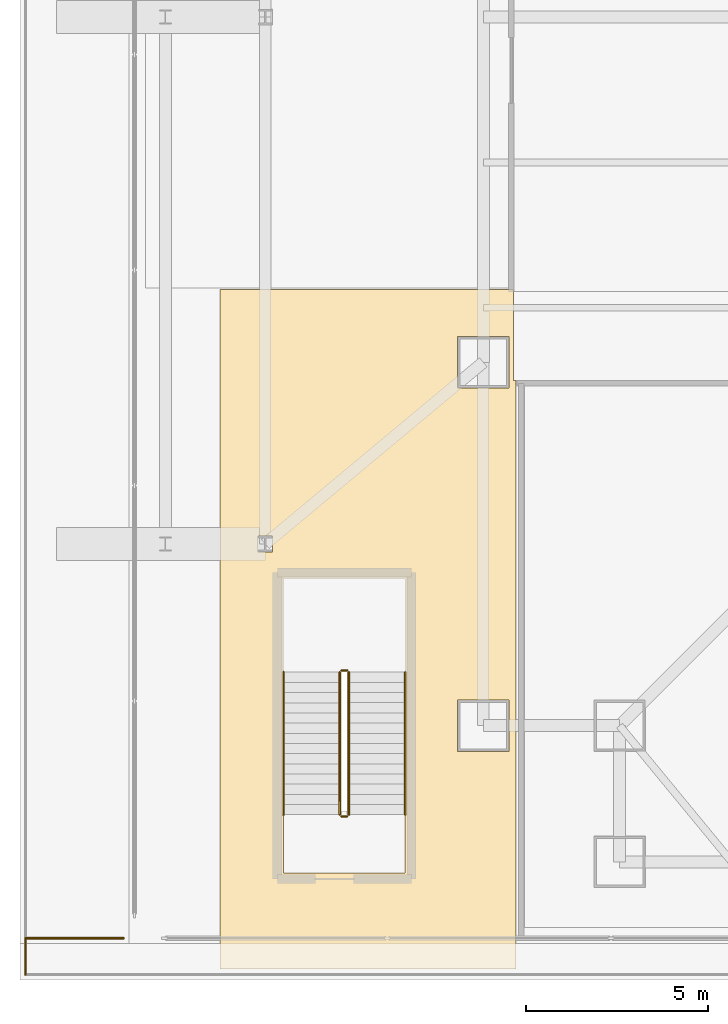
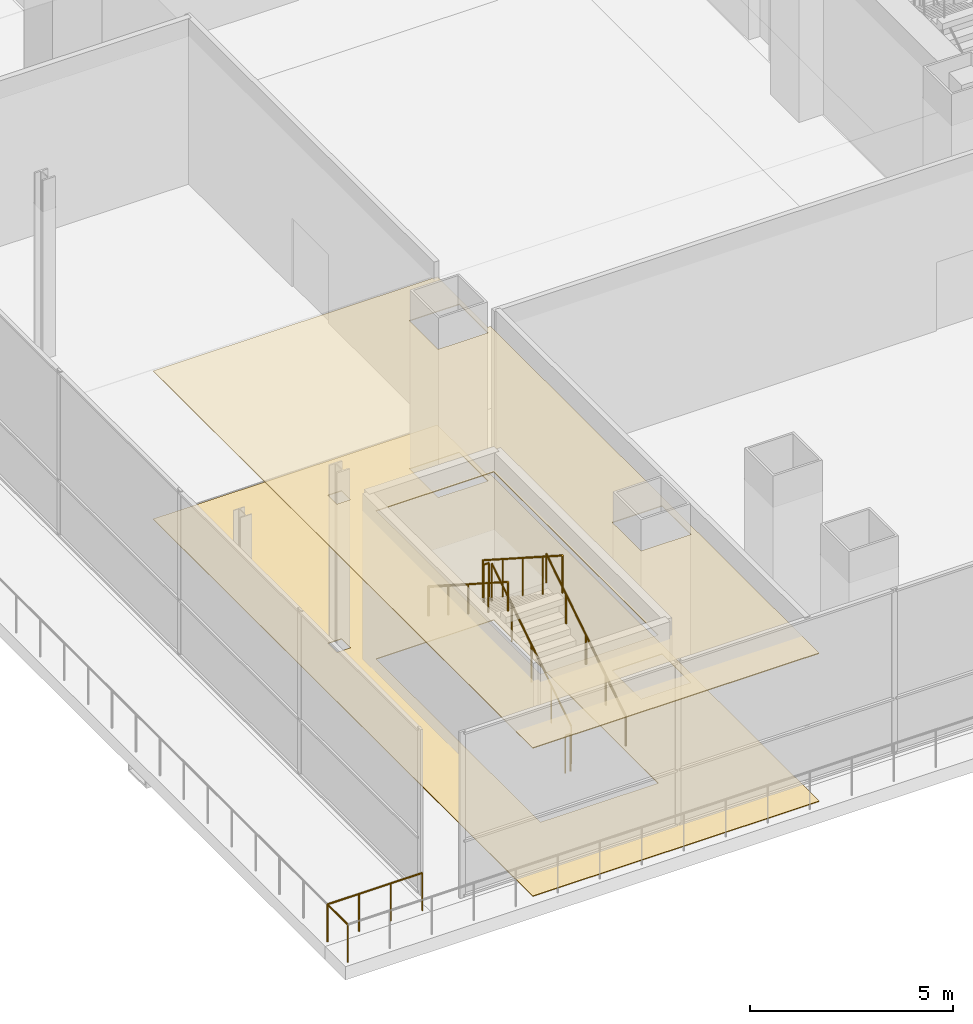
# One storey, part 25 of 36: 8 railings, 2 coverings.
"""IFC4 building model written with IfcOpenShell, lengths in metres."""

from ifc_helpers import new_model, si_unit, direction, frame, origin, origin_2d, place, context, subcontext, project, spatial, polyline, circle, outline, extrude, material, layer, layer_set, type_object, element, save


model = new_model("IFC4")

# Units and contexts
model_context = context("Model", 3, precision=1e-05, world=origin(), true_north=direction((0.0, 1.0)))
body_context = subcontext(model_context, "Body", "Model", "MODEL_VIEW")
ifc_project = project(units=[si_unit("LENGTHUNIT", "METRE"), si_unit("AREAUNIT", "SQUARE_METRE"), si_unit("VOLUMEUNIT", "CUBIC_METRE"), si_unit("PLANEANGLEUNIT", "RADIAN"), si_unit("MASSUNIT", "GRAM", prefix="KILO")], contexts=[model_context])

# Site, building, storey
site_placement = place(None, origin())
site = spatial("IfcSite", under=ifc_project, at=site_placement, CompositionType="ELEMENT")
building_placement = place(site_placement, origin())
building = spatial("IfcBuilding", under=site, at=building_placement, Name="Trevonay Congress Spire", CompositionType="ELEMENT")
storey_placement = place(building_placement, frame((0.0, 0.0, 16.199951171875)))
storey = spatial("IfcBuildingStorey", under=building, at=storey_placement, Name="L03", CompositionType="ELEMENT", Elevation=16.199951171875)

# Coverings
ifc_material_1 = material(Name="Acoustic Mineral Fibre Board", Category="gypsum")
ifc_layer_1 = layer(ifc_material_1, 0.02490234375, Name="Acoustic Mineral Fibre Board")
ifc_layer_set_1 = layer_set([ifc_layer_1], Name="Acoustic Mineral Fibre Board")
covering_type_1 = type_object("IfcCoveringType", Name="COV-CEIL-ACOUSTIC", PredefinedType="CEILING", material=ifc_layer_set_1)
covering_1_placement = place(storey_placement, frame((0.0, 0.0, 4.449951171875)))
element("IfcCovering", 1, at=covering_1_placement, inside=storey, type_object=covering_type_1, Name="L03 L03 Stair Lobby SW acoustic suspended ceiling", PredefinedType="CEILING", context=body_context, shape_type="SweptSolid", body=[
    extrude(outline(polyline([(-30.5, -26.199951171875), (-30.5, -7.5), (-22.419921875, -7.5), (-22.419921875, -7.550048828125), (-22.419921875, -10.0), (-22.35009765625, -10.0), (-22.35009765625, -26.199951171875), (-30.5, -26.199951171875)]), holes=[polyline([(-22.5400390625, -20.2099609375), (-22.5400390625, -18.7900390625), (-23.9599609375, -18.7900390625), (-23.9599609375, -20.2099609375), (-22.5400390625, -20.2099609375)]), polyline([(-29.444091796875, -14.722412109375), (-29.055908203125, -14.722412109375), (-29.055908203125, -14.277587890625), (-29.444091796875, -14.277587890625), (-29.444091796875, -14.722412109375)]), polyline([(-23.9599609375, -10.2099609375), (-22.5400390625, -10.2099609375), (-22.5400390625, -8.7900390625), (-23.9599609375, -8.7900390625), (-23.9599609375, -10.2099609375)]), polyline([(-28.75, -15.449951171875), (-28.75, -23.550048828125), (-25.39990234375, -23.550048828125), (-25.39990234375, -15.449951171875), (-28.75, -15.449951171875)])]), origin(), (0.0, 0.0, 1.0), 0.025146484375),
])
ifc_material_2 = material(Name="Polished Granite Floor Tile", Category="masonry")
ifc_layer_2 = layer(ifc_material_2, 0.02001953125, Name="Polished Granite Floor Tile")
ifc_layer_set_2 = layer_set([ifc_layer_2], Name="Polished Granite Floor Tile")
covering_type_2 = type_object("IfcCoveringType", Name="COV-FLOOR-STONE", PredefinedType="FLOORING", material=ifc_layer_set_2)
covering_2_placement = place(storey_placement, origin())
element("IfcCovering", 2, at=covering_2_placement, inside=storey, type_object=covering_type_2, Name="L03 L03 Stair Lobby SW floor finish", PredefinedType="FLOORING", context=body_context, shape_type="SweptSolid", body=[
    extrude(outline(polyline([(-30.5, -26.199951171875), (-30.5, -7.5), (-22.419921875, -7.5), (-22.419921875, -7.550048828125), (-22.419921875, -10.0), (-22.35009765625, -10.0), (-22.35009765625, -26.199951171875), (-30.5, -26.199951171875)]), holes=[polyline([(-22.5400390625, -20.2099609375), (-22.5400390625, -18.7900390625), (-23.9599609375, -18.7900390625), (-23.9599609375, -20.2099609375), (-22.5400390625, -20.2099609375)]), polyline([(-29.444091796875, -14.722412109375), (-29.055908203125, -14.722412109375), (-29.055908203125, -14.277587890625), (-29.444091796875, -14.277587890625), (-29.444091796875, -14.722412109375)]), polyline([(-23.9599609375, -10.2099609375), (-22.5400390625, -10.2099609375), (-22.5400390625, -8.7900390625), (-23.9599609375, -8.7900390625), (-23.9599609375, -10.2099609375)]), polyline([(-28.75, -15.449951171875), (-28.75, -23.550048828125), (-25.39990234375, -23.550048828125), (-25.39990234375, -15.449951171875), (-28.75, -15.449951171875)])]), origin(), (0.0, 0.0, 1.0), 0.02001953125),
])

# Railings
ifc_material_3 = material(Name="Pale Anodised Aluminium EN AW-6063-T6", Category="aluminium")
railing_type_1 = type_object("IfcRailingType", Name="RAL-EXT-GUARD-115", PredefinedType="GUARDRAIL", material=ifc_material_3)
railing_1_placement = place(storey_placement, frame((-35.85009765625, -25.35009765625, 0.0)))
element("IfcRailing", 3, at=railing_1_placement, inside=storey, type_object=railing_type_1, Name="L03 perimeter safety guard GRD-L03-TER-W-1", PredefinedType="GUARDRAIL", context=body_context, shape_type="SweptSolid", body=[
    extrude(circle(Radius=0.02392578125, at=origin_2d()), frame((0.0, 0.0, 1.1259765625), z_axis=(1.0, 0.0, 0.0), x_axis=(0.0, 1.0, 0.0)), (0.0, 0.0, 1.0), 2.7001953125),
    extrude(circle(Radius=0.02099609375, at=origin_2d()), origin(), (0.0, 0.0, 1.0), 1.101806640625),
    extrude(circle(Radius=0.02099609375, at=origin_2d()), frame((0.900146484375, 0.0, 0.0)), (0.0, 0.0, 1.0), 1.101806640625),
    extrude(circle(Radius=0.02099609375, at=origin_2d()), frame((1.800048828125, 0.0, 0.0)), (0.0, 0.0, 1.0), 1.101806640625),
    extrude(circle(Radius=0.02099609375, at=origin_2d()), frame((2.7001953125, 0.0, 0.0)), (0.0, 0.0, 1.0), 1.101806640625),
])
railing_2_placement = place(storey_placement, frame((-35.85009765625, -25.35009765625, 0.0)))
element("IfcRailing", 4, at=railing_2_placement, inside=storey, type_object=railing_type_1, Name="L03 perimeter safety guard GRD-L03-TER-S-1", PredefinedType="GUARDRAIL", context=body_context, shape_type="SweptSolid", body=[
    extrude(circle(Radius=0.02392578125, at=origin_2d()), frame((0.0, 0.0, 1.1259765625), z_axis=(0.0, -1.0, 0.0), x_axis=(1.0, 0.0, 0.0)), (0.0, 0.0, 1.0), 1.0),
    extrude(circle(Radius=0.02099609375, at=origin_2d()), origin(), (0.0, 0.0, 1.0), 1.101806640625),
    extrude(circle(Radius=0.02099609375, at=origin_2d()), frame((0.0, -1.0, 0.0)), (0.0, 0.0, 1.0), 1.101806640625),
])
railing_type_2 = type_object("IfcRailingType", Name="RAL-STAIR-GUARD-110", PredefinedType="GUARDRAIL", material=ifc_material_3)
railing_3_placement = place(storey_placement, frame((-26.949951171875, -21.949951171875, 0.179931640625)))
element("IfcRailing", 5, at=railing_3_placement, inside=storey, type_object=railing_type_2, Name="L03 ST-3 stair guard 1", PredefinedType="GUARDRAIL", context=body_context, shape_type="SweptSolid", body=[
    extrude(circle(Radius=0.02392578125, at=origin_2d()), frame((0.0, 0.0, 1.1259765625), z_axis=(0.0, 0.841171666519, 0.540768182723), x_axis=(-1.0, 0.0, 0.0)), (0.0, 0.0, 1.0), 4.66015625),
    extrude(circle(Radius=0.02099609375, at=origin_2d()), origin(), (0.0, 0.0, 1.0), 1.101806640625),
    extrude(circle(Radius=0.02099609375, at=origin_2d()), frame((0.0, 0.97998046875, 0.6298828125)), (0.0, 0.0, 1.0), 1.101806640625),
    extrude(circle(Radius=0.02099609375, at=origin_2d()), frame((0.0, 1.9599609375, 1.260009765625)), (0.0, 0.0, 1.0), 1.101806640625),
    extrude(circle(Radius=0.02099609375, at=origin_2d()), frame((0.0, 2.93994140625, 1.89013671875)), (0.0, 0.0, 1.0), 1.101806640625),
    extrude(circle(Radius=0.02099609375, at=origin_2d()), frame((0.0, 3.919921875, 2.52001953125)), (0.0, 0.0, 1.0), 1.101806640625),
])
railing_4_placement = place(storey_placement, frame((-27.0, -17.97998046875, 2.699951171875)))
element("IfcRailing", 6, at=railing_4_placement, inside=storey, type_object=railing_type_2, Name="L03 ST-3 stair guard 2", PredefinedType="GUARDRAIL", context=body_context, shape_type="SweptSolid", body=[
    extrude(circle(Radius=0.02392578125, at=origin_2d()), frame((0.0, 0.0, 1.1259765625), z_axis=(-1.0, 0.0, 0.0), x_axis=(0.0, -1.0, 0.0)), (0.0, 0.0, 1.0), 0.14990234375),
    extrude(circle(Radius=0.02099609375, at=origin_2d()), origin(), (0.0, 0.0, 1.0), 1.101806640625),
    extrude(circle(Radius=0.02099609375, at=origin_2d()), frame((-0.14990234375, 0.0, 0.0)), (0.0, 0.0, 1.0), 1.101806640625),
])
railing_5_placement = place(storey_placement, frame((-27.199951171875, -18.030029296875, 2.880126953125)))
element("IfcRailing", 7, at=railing_5_placement, inside=storey, type_object=railing_type_2, Name="L03 ST-3 stair guard 3", PredefinedType="GUARDRAIL", context=body_context, shape_type="SweptSolid", body=[
    extrude(circle(Radius=0.02392578125, at=origin_2d()), frame((0.0, 0.0, 1.1259765625), z_axis=(0.0, -0.841171666519, 0.540768182723), x_axis=(1.0, 0.0, 0.0)), (0.0, 0.0, 1.0), 4.66015625),
    extrude(circle(Radius=0.02099609375, at=origin_2d()), origin(), (0.0, 0.0, 1.0), 1.101806640625),
    extrude(circle(Radius=0.02099609375, at=origin_2d()), frame((0.0, -0.97998046875, 0.6298828125)), (0.0, 0.0, 1.0), 1.101806640625),
    extrude(circle(Radius=0.02099609375, at=origin_2d()), frame((0.0, -1.9599609375, 1.260009765625)), (0.0, 0.0, 1.0), 1.101806640625),
    extrude(circle(Radius=0.02099609375, at=origin_2d()), frame((0.0, -2.93994140625, 1.89013671875)), (0.0, 0.0, 1.0), 1.101806640625),
    extrude(circle(Radius=0.02099609375, at=origin_2d()), frame((0.0, -3.919921875, 2.52001953125)), (0.0, 0.0, 1.0), 1.101806640625),
])
railing_6_placement = place(storey_placement, frame((-27.0, -22.0, 0.0)))
element("IfcRailing", 8, at=railing_6_placement, inside=storey, type_object=railing_type_2, Name="L03 ST-3 stair guard 4", PredefinedType="GUARDRAIL", context=body_context, shape_type="SweptSolid", body=[
    extrude(circle(Radius=0.02392578125, at=origin_2d()), frame((0.0, 0.0, 1.1259765625), z_axis=(-1.0, 0.0, 0.0), x_axis=(0.0, -1.0, 0.0)), (0.0, 0.0, 1.0), 0.14990234375),
    extrude(circle(Radius=0.02099609375, at=origin_2d()), origin(), (0.0, 0.0, 1.0), 1.101806640625),
    extrude(circle(Radius=0.02099609375, at=origin_2d()), frame((-0.14990234375, 0.0, 0.0)), (0.0, 0.0, 1.0), 1.101806640625),
])
railing_type_3 = type_object("IfcRailingType", Name="RAL-STAIR-HANDRAIL", PredefinedType="HANDRAIL", material=ifc_material_3)
railing_7_placement = place(storey_placement, frame((-25.39990234375, -21.949951171875, 0.179931640625)))
element("IfcRailing", 9, at=railing_7_placement, inside=storey, type_object=railing_type_3, Name="L03 ST-3 stair handrail 1", PredefinedType="HANDRAIL", context=body_context, shape_type="SweptSolid", body=[
    extrude(circle(Radius=0.02392578125, at=origin_2d()), frame((0.0, 0.0, 0.8759765625), z_axis=(0.0, 0.841171666519, 0.540768182723), x_axis=(-1.0, 0.0, 0.0)), (0.0, 0.0, 1.0), 4.66015625),
    extrude(circle(Radius=0.02099609375, at=origin_2d()), origin(), (0.0, 0.0, 1.0), 0.851806640625),
    extrude(circle(Radius=0.02099609375, at=origin_2d()), frame((0.0, 0.97998046875, 0.6298828125)), (0.0, 0.0, 1.0), 0.851806640625),
    extrude(circle(Radius=0.02099609375, at=origin_2d()), frame((0.0, 1.9599609375, 1.260009765625)), (0.0, 0.0, 1.0), 0.851806640625),
    extrude(circle(Radius=0.02099609375, at=origin_2d()), frame((0.0, 2.93994140625, 1.89013671875)), (0.0, 0.0, 1.0), 0.851806640625),
    extrude(circle(Radius=0.02099609375, at=origin_2d()), frame((0.0, 3.919921875, 2.52001953125)), (0.0, 0.0, 1.0), 0.851806640625),
])
railing_8_placement = place(storey_placement, frame((-28.75, -18.030029296875, 2.880126953125)))
element("IfcRailing", 10, at=railing_8_placement, inside=storey, type_object=railing_type_3, Name="L03 ST-3 stair handrail 2", PredefinedType="HANDRAIL", context=body_context, shape_type="SweptSolid", body=[
    extrude(circle(Radius=0.02392578125, at=origin_2d()), frame((0.0, 0.0, 0.8759765625), z_axis=(0.0, -0.841171666519, 0.540768182723), x_axis=(1.0, 0.0, 0.0)), (0.0, 0.0, 1.0), 4.66015625),
    extrude(circle(Radius=0.02099609375, at=origin_2d()), origin(), (0.0, 0.0, 1.0), 0.851806640625),
    extrude(circle(Radius=0.02099609375, at=origin_2d()), frame((0.0, -0.97998046875, 0.6298828125)), (0.0, 0.0, 1.0), 0.851806640625),
    extrude(circle(Radius=0.02099609375, at=origin_2d()), frame((0.0, -1.9599609375, 1.260009765625)), (0.0, 0.0, 1.0), 0.851806640625),
    extrude(circle(Radius=0.02099609375, at=origin_2d()), frame((0.0, -2.93994140625, 1.89013671875)), (0.0, 0.0, 1.0), 0.851806640625),
    extrude(circle(Radius=0.02099609375, at=origin_2d()), frame((0.0, -3.919921875, 2.52001953125)), (0.0, 0.0, 1.0), 0.851806640625),
])

save(model, "model.ifc")
